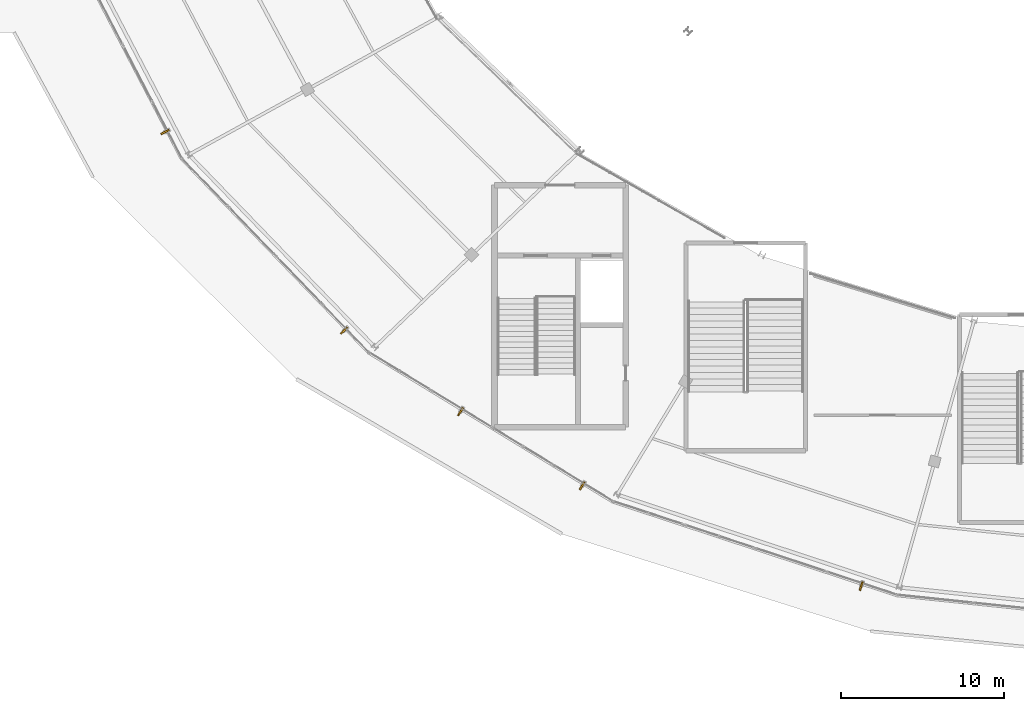
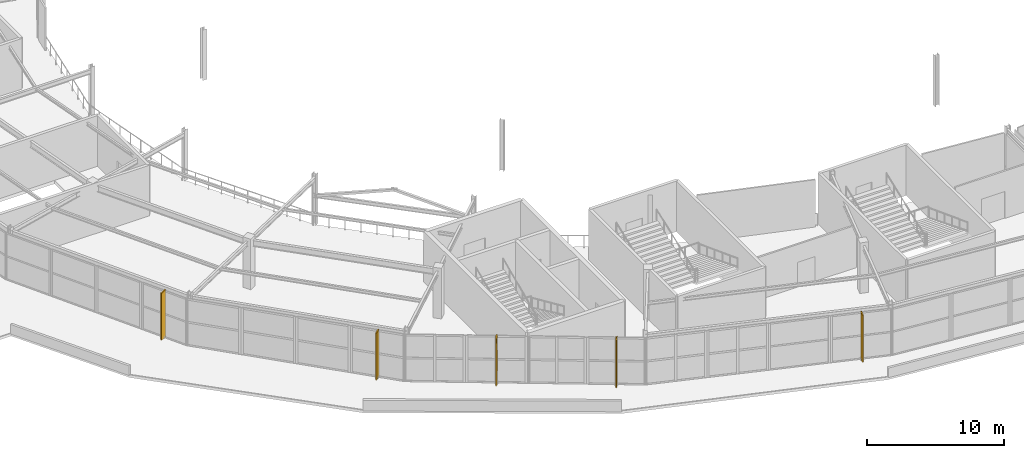
# One storey, part 115 of 126: 5 shading devices.
"""IFC4 building model written with IfcOpenShell, lengths in metres."""

from ifc_helpers import new_model, si_unit, direction, frame, origin, origin_2d, place, context, subcontext, project, spatial, rectangle, extrude, material, layer, layer_set, type_object, element, save


model = new_model("IFC4")

# Units and contexts
model_context = context("Model", 3, precision=1e-05, world=origin(), true_north=direction((0.0, 1.0)))
body_context = subcontext(model_context, "Body", "Model", "MODEL_VIEW")
ifc_project = project(units=[si_unit("LENGTHUNIT", "METRE"), si_unit("AREAUNIT", "SQUARE_METRE"), si_unit("VOLUMEUNIT", "CUBIC_METRE"), si_unit("PLANEANGLEUNIT", "RADIAN"), si_unit("MASSUNIT", "GRAM", prefix="KILO")], contexts=[model_context])

# Site, building, storey
site_placement = place(None, origin())
site = spatial("IfcSite", under=ifc_project, at=site_placement, CompositionType="ELEMENT")
building_placement = place(site_placement, origin())
building = spatial("IfcBuilding", under=site, at=building_placement, Name="Kalgoora Escarpment Arena", CompositionType="ELEMENT")
storey_placement = place(building_placement, frame((0.0, 0.0, 18.89990234375)))
storey = spatial("IfcBuildingStorey", under=building, at=storey_placement, Name="L04", CompositionType="ELEMENT", Elevation=18.89990234375)

# Shading devices
ifc_material = material(Name="Champagne anodised extruded aluminium", Category="aluminium")
ifc_layer = layer(ifc_material, 0.080078125)
ifc_layer_set = layer_set([ifc_layer], Name="SHD-FIN-CHAMP")
shading_device_type = type_object("IfcShadingDeviceType", Name="SHD-FIN-CHAMP", PredefinedType="USERDEFINED", material=ifc_layer_set)
for number, where, z_axis, x_axis, name in (
    (1, (71.48388671875, 9.01708984375, 0.0), (0.0, 0.0, 1.0), (-0.312998047948, -0.949753769132, 0.0), "L04 champagne anodised solar fin 21"),
    (2, (54.354248046875, 15.17333984375, 0.0), (0.0, 0.0, 1.0), (-0.521009631841, -0.853550797275, 0.0), "L04 champagne anodised solar fin 22"),
    (3, (46.8916015625, 19.729248046875, 0.0), (0.0, 0.0, 1.0), (-0.521009631841, -0.853550797275, 0.0), "L04 champagne anodised solar fin 23"),
    (4, (39.741455078125, 24.7021484375, 0.0), (0.0, 0.0, 1.0), (-0.71982458803, -0.694156007298, 0.0), "L04 champagne anodised solar fin 24"),
    (5, (28.75390625, 36.88671875, 0.0), (0.0, 0.0, 1.0), (-0.887010833178, -0.461748613235, 0.0), "L04 champagne anodised solar fin 25"),
):
    element("IfcShadingDevice", number, at=place(storey_placement, frame(where, z_axis=z_axis, x_axis=x_axis)), inside=storey, type_object=shading_device_type, Name=name, ObjectType="FIN", PredefinedType="USERDEFINED", context=body_context, shape_type="SweptSolid", body=[
        extrude(rectangle(XDim=0.56005859375, YDim=0.10009765625, at=origin_2d()), origin(), (0.0, 0.0, 1.0), 4.2099609375),
    ])

save(model, "model.ifc")
